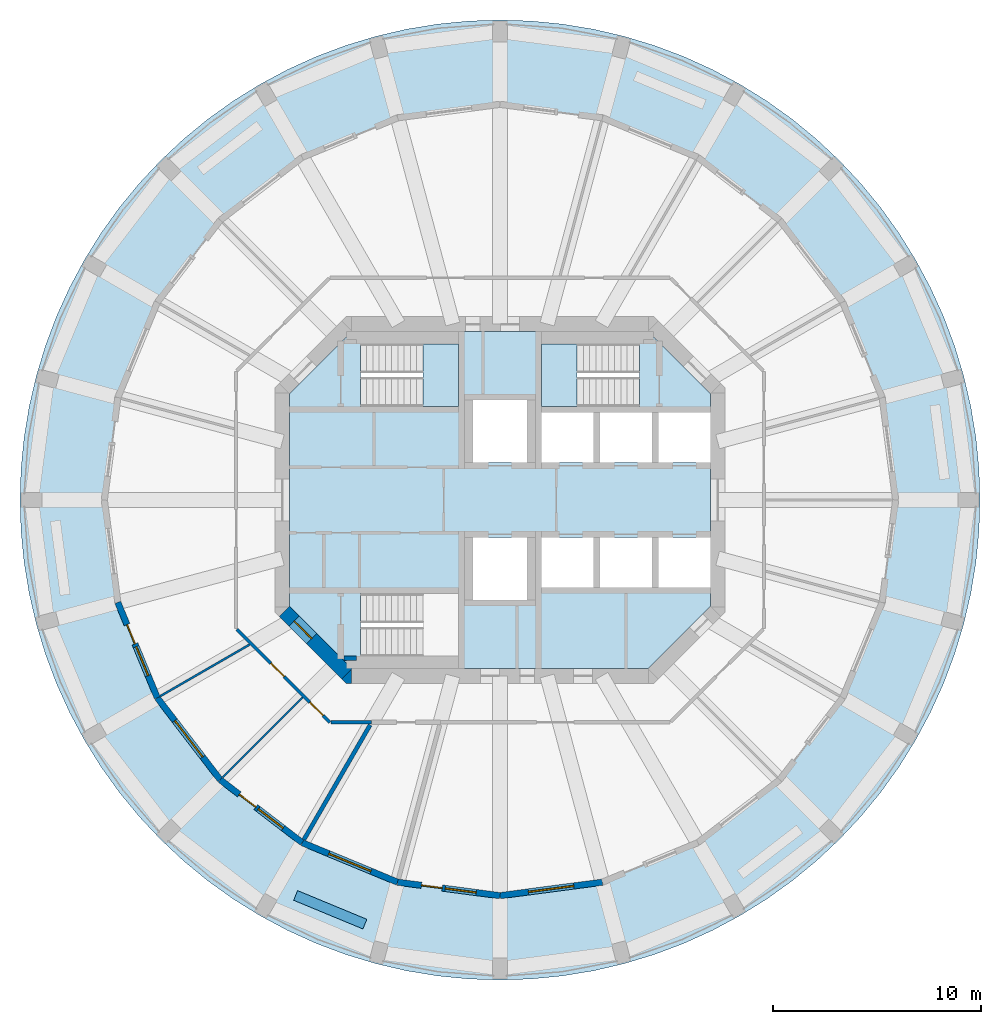
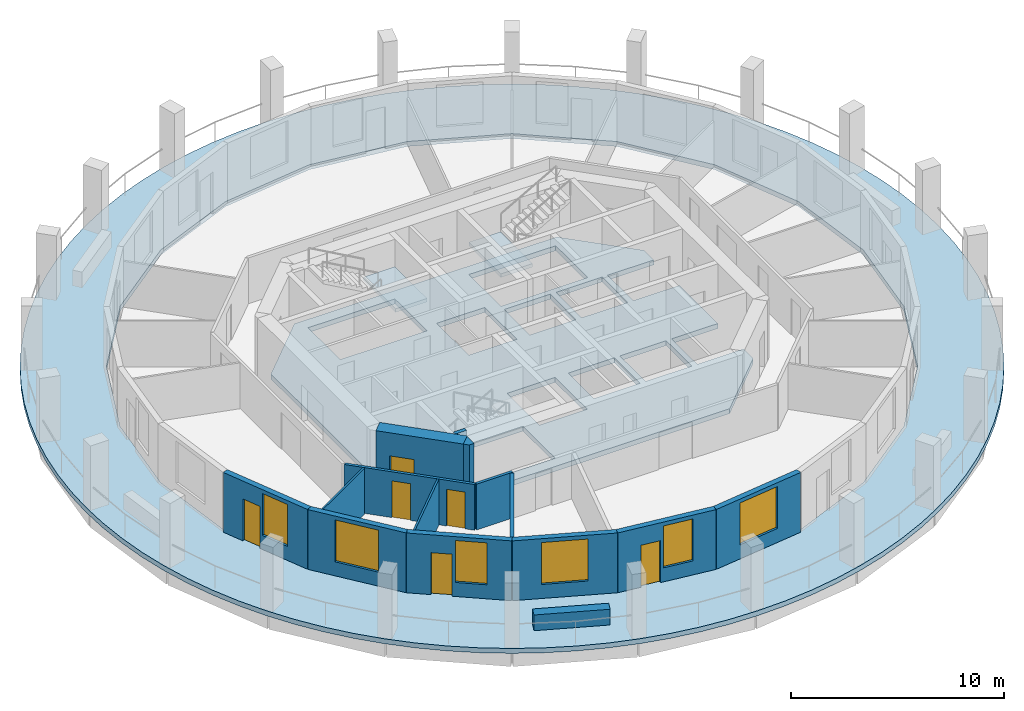
# One storey, part 2 of 9: 15 walls, 6 doors, 6 windows, 4 slabs, 12 openings, 2 elements without a shape of their own.
"""IFC4 building model written with IfcOpenShell, lengths in metres."""

from ifc_helpers import new_model, si_unit, direction, frame, frame_2d, origin, place, context, subcontext, project, spatial, polyline, rectangle, outline, extrude, material, layer, layer_set, type_object, element, fill, aggregate, save


model = new_model("IFC4")

# Units and contexts
model_context = context("Model", 3, precision=1e-05, world=origin(), true_north=direction((0.0, 1.0)))
body_context = subcontext(model_context, "Body", "Model", "MODEL_VIEW")
ifc_project = project(units=[si_unit("LENGTHUNIT", "METRE"), si_unit("AREAUNIT", "SQUARE_METRE"), si_unit("VOLUMEUNIT", "CUBIC_METRE"), si_unit("PLANEANGLEUNIT", "RADIAN"), si_unit("MASSUNIT", "GRAM", prefix="KILO")], contexts=[model_context])

# Site, building, storey
site_placement = place(None, origin())
site = spatial("IfcSite", under=ifc_project, at=site_placement, CompositionType="ELEMENT")
building_placement = place(site_placement, origin())
building = spatial("IfcBuilding", under=site, at=building_placement, Name="Torre Triforio", CompositionType="ELEMENT")
storey_placement = place(building_placement, frame((0.0, 0.0, 161.60009765625)))
storey = spatial("IfcBuildingStorey", under=building, at=storey_placement, Name="L36", CompositionType="ELEMENT", Elevation=161.60009765625)

# Slabs
ifc_material_1 = material(Name="Concrete C50", Category="concrete")
ifc_layer_1 = layer(ifc_material_1, 0.280029296875)
ifc_layer_set_1 = layer_set([ifc_layer_1], Name="Concrete C50")
slab_type_1 = type_object("IfcSlabType", Name="Core floor slab 280 mm C50 REI 120", PredefinedType="FLOOR", material=ifc_layer_set_1)
slab_1_placement = place(storey_placement, frame((0.0, 0.0, -0.280029296875)))
element("IfcSlab", 1, at=slab_1_placement, inside=storey, type_object=slab_type_1, Name="Core floor slab", PredefinedType="FLOOR", context=body_context, shape_type="SweptSolid", body=[
    extrude(outline(polyline([(10.10009765625, -5.10009765625), (7.10009765625, -8.10009765625), (-7.10009765625, -8.10009765625), (-10.10009765625, -5.10009765625), (-10.10009765625, 5.10009765625), (-7.10009765625, 8.10009765625), (7.10009765625, 8.10009765625), (10.10009765625, 5.10009765625), (10.10009765625, 4.199951171875), (7.60009765625, 4.199951171875), (7.60009765625, 1.800048828125), (10.10009765625, 1.800048828125), (10.10009765625, -1.800048828125), (7.60009765625, -1.800048828125), (7.60009765625, -4.199951171875), (10.10009765625, -4.199951171875), (10.10009765625, -5.10009765625)]), holes=[polyline([(-6.696044921875, -4.5), (-6.696044921875, -7.5), (-2.0, -7.5), (-2.0, -4.5), (-6.696044921875, -4.5)]), polyline([(-1.300048828125, -1.800048828125), (-1.300048828125, -4.800048828125), (1.300048828125, -4.800048828125), (1.300048828125, -1.800048828125), (-1.300048828125, -1.800048828125)]), polyline([(2.0, -1.800048828125), (2.0, -4.199951171875), (4.5, -4.199951171875), (4.5, -1.800048828125), (2.0, -1.800048828125)]), polyline([(4.5, 4.199951171875), (2.0, 4.199951171875), (2.0, 1.800048828125), (4.5, 1.800048828125), (4.5, 4.199951171875)]), polyline([(1.300048828125, 4.800048828125), (-1.300048828125, 4.800048828125), (-1.300048828125, 1.800048828125), (1.300048828125, 1.800048828125), (1.300048828125, 4.800048828125)]), polyline([(-6.696044921875, 7.5), (-6.696044921875, 4.5), (-2.0, 4.5), (-2.0, 7.5), (-6.696044921875, 7.5)]), polyline([(7.300048828125, -1.800048828125), (4.800048828125, -1.800048828125), (4.800048828125, -4.199951171875), (7.300048828125, -4.199951171875), (7.300048828125, -1.800048828125)]), polyline([(4.800048828125, 4.199951171875), (4.800048828125, 1.800048828125), (7.300048828125, 1.800048828125), (7.300048828125, 4.199951171875), (4.800048828125, 4.199951171875)]), polyline([(6.696044921875, 7.5), (2.0, 7.5), (2.0, 4.5), (6.696044921875, 4.5), (6.696044921875, 7.5)])]), origin(), (0.0, 0.0, 1.0), 0.280029296875),
])
ifc_material_2 = material(Name="Concrete C40", Category="concrete")
ifc_layer_2 = layer(ifc_material_2, 0.280029296875)
ifc_layer_set_2 = layer_set([ifc_layer_2], Name="Concrete C40")
slab_type_2 = type_object("IfcSlabType", Name="Loggia slab 280 C40", PredefinedType="FLOOR", material=ifc_layer_set_2)
slab_2_placement = place(storey_placement, frame((0.0, 0.0, -0.280029296875)))
element("IfcSlab", 2, at=slab_2_placement, inside=storey, type_object=slab_type_2, Name="SL.L36.LG", PredefinedType="FLOOR", context=body_context, shape_type="SweptSolid", body=[
    extrude(outline(polyline([(23.000732421875, -1.507568359375), (23.050048828125, 0.0), (23.000732421875, 1.507568359375), (22.852783203125, 3.008544921875), (22.607177734375, 4.496826171875), (22.2646484375, 5.9658203125), (21.82666015625, 7.4091796875), (21.29541015625, 8.82080078125), (20.6728515625, 10.19482421875), (19.9619140625, 11.52490234375), (19.165283203125, 12.805908203125), (18.286865234375, 14.031982421875), (17.329833984375, 15.197998046875), (16.298828125, 16.298828125), (15.197998046875, 17.329833984375), (14.031982421875, 18.286865234375), (12.805908203125, 19.165283203125), (11.52490234375, 19.9619140625), (10.19482421875, 20.6728515625), (8.82080078125, 21.29541015625), (7.4091796875, 21.82666015625), (5.9658203125, 22.2646484375), (4.496826171875, 22.607177734375), (3.008544921875, 22.852783203125), (1.507568359375, 23.000732421875), (0.0, 23.050048828125), (-1.507568359375, 23.000732421875), (-3.008544921875, 22.852783203125), (-4.496826171875, 22.607177734375), (-5.9658203125, 22.2646484375), (-7.4091796875, 21.82666015625), (-8.82080078125, 21.29541015625), (-10.19482421875, 20.6728515625), (-11.52490234375, 19.9619140625), (-12.805908203125, 19.165283203125), (-14.031982421875, 18.286865234375), (-15.197998046875, 17.329833984375), (-16.298828125, 16.298828125), (-17.329833984375, 15.197998046875), (-18.286865234375, 14.031982421875), (-19.165283203125, 12.805908203125), (-19.9619140625, 11.52490234375), (-20.6728515625, 10.19482421875), (-21.29541015625, 8.82080078125), (-21.82666015625, 7.4091796875), (-22.2646484375, 5.9658203125), (-22.607177734375, 4.496826171875), (-22.852783203125, 3.008544921875), (-23.000732421875, 1.507568359375), (-23.050048828125, 0.0), (-23.000732421875, -1.507568359375), (-22.852783203125, -3.008544921875), (-22.607177734375, -4.496826171875), (-22.2646484375, -5.9658203125), (-21.82666015625, -7.4091796875), (-21.29541015625, -8.82080078125), (-20.6728515625, -10.19482421875), (-19.9619140625, -11.52490234375), (-19.165283203125, -12.805908203125), (-18.286865234375, -14.031982421875), (-17.329833984375, -15.197998046875), (-16.298828125, -16.298828125), (-15.197998046875, -17.329833984375), (-14.031982421875, -18.286865234375), (-12.805908203125, -19.165283203125), (-11.52490234375, -19.9619140625), (-10.19482421875, -20.6728515625), (-8.82080078125, -21.29541015625), (-7.4091796875, -21.82666015625), (-5.9658203125, -22.2646484375), (-4.496826171875, -22.607177734375), (-3.008544921875, -22.852783203125), (-1.507568359375, -23.000732421875), (0.0, -23.050048828125), (1.507568359375, -23.000732421875), (3.008544921875, -22.852783203125), (4.496826171875, -22.607177734375), (5.9658203125, -22.2646484375), (7.4091796875, -21.82666015625), (8.82080078125, -21.29541015625), (10.19482421875, -20.6728515625), (11.52490234375, -19.9619140625), (12.805908203125, -19.165283203125), (14.031982421875, -18.286865234375), (15.197998046875, -17.329833984375), (16.298828125, -16.298828125), (17.329833984375, -15.197998046875), (18.286865234375, -14.031982421875), (19.165283203125, -12.805908203125), (19.9619140625, -11.52490234375), (20.6728515625, -10.19482421875), (21.29541015625, -8.82080078125), (21.82666015625, -7.4091796875), (22.2646484375, -5.9658203125), (22.607177734375, -4.496826171875), (22.852783203125, -3.008544921875), (23.000732421875, -1.507568359375)]), holes=[polyline([(18.3525390625, 4.91748046875), (19.0, 0.0), (18.3525390625, -4.91748046875), (16.45458984375, -9.5), (13.43505859375, -13.43505859375), (9.5, -16.45458984375), (4.91748046875, -18.3525390625), (0.0, -19.0), (-4.91748046875, -18.3525390625), (-9.5, -16.45458984375), (-13.43505859375, -13.43505859375), (-16.45458984375, -9.5), (-18.3525390625, -4.91748046875), (-19.0, 0.0), (-18.3525390625, 4.91748046875), (-16.45458984375, 9.5), (-13.43505859375, 13.43505859375), (-9.5, 16.45458984375), (-4.91748046875, 18.3525390625), (0.0, 19.0), (4.91748046875, 18.3525390625), (9.5, 16.45458984375), (13.43505859375, 13.43505859375), (16.45458984375, 9.5), (18.3525390625, 4.91748046875)])]), origin(), (0.0, 0.0, 1.0), 0.280029296875),
])

# Stair, slab
stair_type = type_object("IfcStairType", Name="STAIR HALF-TURN", PredefinedType="HALF_TURN_STAIR", material=ifc_material_2)
stair_1_placement = place(storey_placement, origin())
stair_1 = element("IfcStair", 3, at=stair_1_placement, inside=storey, type_object=stair_type, Name="Exit stair 1", PredefinedType="HALF_TURN_STAIR")
ifc_layer_3 = layer(ifc_material_2, 0.199951171875)
ifc_layer_set_3 = layer_set([ifc_layer_3], Name="Concrete C40")
slab_type_3 = type_object("IfcSlabType", Name="STAIR LANDING 200", PredefinedType="LANDING", material=ifc_layer_set_3)
slab_3_placement = place(storey_placement, frame((0.0, 0.0, 1.64990234375)))
slab_3 = element("IfcSlab", 4, at=slab_3_placement, type_object=slab_type_3, Name="ST1 landing 1", PredefinedType="LANDING", context=body_context, shape_type="SweptSolid", body=[
    extrude(outline(polyline([(-2.0, 4.5), (-2.0, 7.5), (-3.699951171875, 7.5), (-3.699951171875, 4.5), (-2.0, 4.5)])), origin(), (0.0, 0.0, 1.0), 0.199951171875),
])
aggregate(stair_1, [slab_3])

stair_2_placement = place(storey_placement, origin())
stair_2 = element("IfcStair", 5, at=stair_2_placement, inside=storey, type_object=stair_type, Name="Exit stair 2", PredefinedType="HALF_TURN_STAIR")
slab_4_placement = place(storey_placement, frame((0.0, 0.0, 1.64990234375)))
slab_4 = element("IfcSlab", 6, at=slab_4_placement, type_object=slab_type_3, Name="ST2 landing 1", PredefinedType="LANDING", context=body_context, shape_type="SweptSolid", body=[
    extrude(outline(polyline([(3.699951171875, 4.5), (3.699951171875, 7.5), (2.0, 7.5), (2.0, 4.5), (3.699951171875, 4.5)])), origin(), (0.0, 0.0, 1.0), 0.199951171875),
])
aggregate(stair_2, [slab_4])

# Wall, opening, door
ifc_layer_4 = layer(ifc_material_1, 0.699951171875)
ifc_layer_set_4 = layer_set([ifc_layer_4], Name="Concrete C50")
wall_type_1 = type_object("IfcWallType", Name="Core wall 700 mm C50 EI 120", PredefinedType="SHEAR", material=ifc_layer_set_4)
wall_1_placement = place(storey_placement, frame((-7.347412109375, -8.347412109375, -0.280029296875), z_axis=(0.0, 0.0, 1.0), x_axis=(-0.707106781187, 0.707106781187, 0.0)))
wall_1 = element("IfcWall", 7, at=wall_1_placement, inside=storey, type_object=wall_type_1, Name="Core wall", PredefinedType="SHEAR", context=body_context, shape_type="SweptSolid", body=[
    extrude(rectangle(XDim=4.24267578125, YDim=0.699951171875, at=frame_2d((2.121337890625, 0.0))), origin(), (0.0, 0.0, 1.0), 3.699951171875),
])
opening_1_placement = place(wall_1_placement, frame((2.392578125, 0.0, 0.280029296875)))
opening_1 = element("IfcOpeningElement", 8, at=opening_1_placement, cuts=wall_1, Name="Opening ST3-EXIT", PredefinedType="OPENING", context=body_context, shape_type="SweptSolid", body=[
    extrude(rectangle(XDim=1.199951171875, YDim=2.10009765625, at=frame_2d((0.60009765625, 1.050048828125))), frame((0.0, 0.35986328125, 0.0), z_axis=(0.0, -1.0, 0.0), x_axis=(1.0, 0.0, 0.0)), (0.0, 0.0, 1.0), 0.719970703125),
])
ifc_material_3 = material(Name="Hollow metal fire door leaf")
door_type_1 = type_object("IfcDoorType", Name="Stair lobby door 1200 x 2100 EI 60", OperationType="NOTDEFINED", PredefinedType="DOOR", material=ifc_material_3)
door_1_placement = place(opening_1_placement, origin())
door_1 = element("IfcDoor", 9, at=door_1_placement, inside=storey, type_object=door_type_1, Name="Core door ST3-EXIT", OperationType="SINGLE_SWING_RIGHT", OverallHeight=2.10009765625, OverallWidth=1.199951171875, PredefinedType="DOOR", context=body_context, shape_type="SweptSolid", body=[
    extrude(rectangle(XDim=1.199951171875, YDim=2.10009765625, at=frame_2d((0.60009765625, 1.050048828125))), frame((0.0, 0.02490234375, 0.0), z_axis=(0.0, -1.0, 0.0), x_axis=(1.0, 0.0, 0.0)), (0.0, 0.0, 1.0), 0.050048828125),
])
fill(opening_1, door_1)

# Walls
wall_2_placement = place(storey_placement, frame((0.0, 0.0, -0.280029296875)))
element("IfcWall", 10, at=wall_2_placement, inside=storey, type_object=wall_type_1, Name="Core wall", PredefinedType="SHEAR", context=body_context, shape_type="SweptSolid", body=[
    extrude(outline(polyline([(-7.389892578125, -8.800048828125), (-7.594970703125, -8.594970703125), (-7.594970703125, -8.594970703125), (-7.594970703125, -8.594970703125), (-7.1298828125, -8.1298828125), (-7.1298828125, -8.800048828125), (-7.1298828125, -8.800048828125), (-7.389892578125, -8.800048828125)])), origin(), (0.0, 0.0, 1.0), 3.699951171875),
])
ifc_material_4 = material(Name="Plasterboard on metal studs")
ifc_layer_5 = layer(ifc_material_4, 0.14990234375)
ifc_layer_set_5 = layer_set([ifc_layer_5], Name="Plasterboard on metal studs")
wall_type_2 = type_object("IfcWallType", Name="Corridor and tenancy wall 150 mm EI 60", PredefinedType="PARTITIONING", material=ifc_layer_set_5)
wall_3_placement = place(storey_placement, frame((-6.1630859375, -10.675048828125, 0.0), z_axis=(0.0, 0.0, 1.0), x_axis=(-1.0, 0.0, 0.0)))
element("IfcWall", 11, at=wall_3_placement, inside=storey, type_object=wall_type_2, Name="Partition 4", PredefinedType="PARTITIONING", context=body_context, shape_type="SweptSolid", body=[
    extrude(rectangle(XDim=1.950927734375, YDim=0.14990234375, at=frame_2d((0.9755859375, 0.0))), origin(), (0.0, 0.0, 1.0), 2.619873046875),
])

# Wall, openings, doors
wall_4_placement = place(storey_placement, frame((-8.16650390625, -10.675048828125, 0.0), z_axis=(0.0, 0.0, 1.0), x_axis=(-0.707106781187, 0.707106781187, 0.0)))
wall_4 = element("IfcWall", 12, at=wall_4_placement, inside=storey, type_object=wall_type_2, Name="Partition 5", PredefinedType="PARTITIONING", context=body_context, shape_type="SweptSolid", body=[
    extrude(rectangle(XDim=6.323486328125, YDim=0.14990234375, at=frame_2d((3.16162109375, 0.0))), origin(), (0.0, 0.0, 1.0), 2.619873046875),
])
opening_2_placement = place(wall_4_placement, frame((3.109619140625, 0.0, 0.0)))
opening_2 = element("IfcOpeningElement", 13, at=opening_2_placement, cuts=wall_4, Name="Opening O1-10", PredefinedType="OPENING", context=body_context, shape_type="SweptSolid", body=[
    extrude(rectangle(XDim=0.89990234375, YDim=2.10009765625, at=frame_2d((0.449951171875, 1.050048828125))), frame((0.0, 0.0849609375, 0.0), z_axis=(0.0, -1.0, 0.0), x_axis=(1.0, 0.0, 0.0)), (0.0, 0.0, 1.0), 0.169921875),
])
opening_3_placement = place(wall_4_placement, frame((0.4619140625, 0.0, 0.0)))
opening_3 = element("IfcOpeningElement", 14, at=opening_3_placement, cuts=wall_4, Name="Opening O1-11", PredefinedType="OPENING", context=body_context, shape_type="SweptSolid", body=[
    extrude(rectangle(XDim=0.89990234375, YDim=2.10009765625, at=frame_2d((0.449951171875, 1.050048828125))), frame((0.0, 0.0849609375, 0.0), z_axis=(0.0, -1.0, 0.0), x_axis=(1.0, 0.0, 0.0)), (0.0, 0.0, 1.0), 0.169921875),
])
ifc_material_5 = material(Name="Timber", Category="wood")
door_type_2 = type_object("IfcDoorType", Name="Door 900 x 2100 single leaf EI 30", OperationType="NOTDEFINED", PredefinedType="DOOR", material=ifc_material_5)
door_2_placement = place(opening_2_placement, origin())
door_2 = element("IfcDoor", 15, at=door_2_placement, inside=storey, type_object=door_type_2, Name="Door O1-10", OperationType="SINGLE_SWING_LEFT", OverallHeight=2.10009765625, OverallWidth=0.89990234375, PredefinedType="DOOR", context=body_context, shape_type="SweptSolid", body=[
    extrude(rectangle(XDim=0.89990234375, YDim=2.10009765625, at=frame_2d((0.449951171875, 1.050048828125))), frame((0.0, 0.02490234375, 0.0), z_axis=(0.0, -1.0, 0.0), x_axis=(1.0, 0.0, 0.0)), (0.0, 0.0, 1.0), 0.050048828125),
])
fill(opening_2, door_2)
door_3_placement = place(opening_3_placement, origin())
door_3 = element("IfcDoor", 16, at=door_3_placement, inside=storey, type_object=door_type_2, Name="Door O1-11", OperationType="SINGLE_SWING_LEFT", OverallHeight=2.10009765625, OverallWidth=0.89990234375, PredefinedType="DOOR", context=body_context, shape_type="SweptSolid", body=[
    extrude(rectangle(XDim=0.89990234375, YDim=2.10009765625, at=frame_2d((0.449951171875, 1.050048828125))), frame((0.0, 0.02490234375, 0.0), z_axis=(0.0, -1.0, 0.0), x_axis=(1.0, 0.0, 0.0)), (0.0, 0.0, 1.0), 0.050048828125),
])
fill(opening_3, door_3)

# Walls
ifc_layer_6 = layer(ifc_material_4, 0.10009765625)
ifc_layer_set_6 = layer_set([ifc_layer_6], Name="Plasterboard on metal studs")
wall_type_3 = type_object("IfcWallType", Name="Partition 100 mm board on metal studs", PredefinedType="PARTITIONING", material=ifc_layer_set_6)
wall_5_placement = place(storey_placement, frame((-12.025146484375, -6.94287109375, 0.0), z_axis=(0.0, 0.0, 1.0), x_axis=(-0.866025463095, -0.499999897272, 0.0)))
element("IfcWall", 17, at=wall_5_placement, inside=storey, type_object=wall_type_3, Name="Partition 20", PredefinedType="PARTITIONING", context=body_context, shape_type="SweptSolid", body=[
    extrude(rectangle(XDim=4.951171875, YDim=0.10009765625, at=frame_2d((2.4755859375, 0.0))), origin(), (0.0, 0.0, 1.0), 2.619873046875),
])
wall_6_placement = place(storey_placement, frame((-9.473876953125, -9.473876953125, 0.0), z_axis=(0.0, 0.0, 1.0), x_axis=(-0.707106781187, -0.707106781187, 0.0)))
element("IfcWall", 18, at=wall_6_placement, inside=storey, type_object=wall_type_3, Name="Partition 21", PredefinedType="PARTITIONING", context=body_context, shape_type="SweptSolid", body=[
    extrude(rectangle(XDim=5.438720703125, YDim=0.10009765625, at=frame_2d((2.71923828125, 0.0))), origin(), (0.0, 0.0, 1.0), 2.619873046875),
])
ifc_material_6 = material(Name="Masonry block", Category="masonry")
ifc_layer_7 = layer(ifc_material_6, 0.199951171875)
ifc_layer_set_7 = layer_set([ifc_layer_7], Name="Masonry block")
wall_type_4 = type_object("IfcWallType", Name="Plant room wall 200 mm block EI 120", PredefinedType="PARTITIONING", material=ifc_layer_set_7)
wall_7_placement = place(storey_placement, frame((-6.235595703125, -10.800537109375, 0.0), z_axis=(0.0, 0.0, 1.0), x_axis=(-0.500029003625, -0.866008657886, 0.0)))
element("IfcWall", 19, at=wall_7_placement, inside=storey, type_object=wall_type_4, Name="Partition 22", PredefinedType="PARTITIONING", context=body_context, shape_type="SweptSolid", body=[
    extrude(rectangle(XDim=6.365234375, YDim=0.199951171875, at=frame_2d((3.1826171875, 0.0))), origin(), (0.0, 0.0, 1.0), 2.619873046875),
])
ifc_material_7 = material(Name="Limestone cladding", Category="masonry")
ifc_layer_8 = layer(ifc_material_7, 0.10009765625)
ifc_layer_9 = layer(ifc_material_2, 0.39990234375)
ifc_layer_set_8 = layer_set([ifc_layer_8, ifc_layer_9], Name="Limestone cladding / Concrete C40")
wall_type_5 = type_object("IfcWallType", Name="Planter wall 500", PredefinedType="PARAPET", material=ifc_layer_set_8)
wall_8_placement = place(storey_placement, frame((-9.814208984375, -18.98974609375, 0.0), z_axis=(0.0, 0.0, 1.0), x_axis=(0.923875488976, -0.382693194178, 0.0)))
element("IfcWall", 20, at=wall_8_placement, inside=storey, type_object=wall_type_5, Name="Planter L36 bay 17", PredefinedType="PARAPET", context=body_context, shape_type="SweptSolid", body=[
    extrude(rectangle(XDim=3.599853515625, YDim=0.5, at=frame_2d((1.7998046875, 0.0))), origin(), (0.0, 0.0, 1.0), 0.89990234375),
])
ifc_layer_10 = layer(ifc_material_1, 0.199951171875)
ifc_layer_set_9 = layer_set([ifc_layer_10], Name="Concrete C50")
wall_type_6 = type_object("IfcWallType", Name="Stair wall 200 mm C50 EI 120", PredefinedType="SHEAR", material=ifc_layer_set_9)
wall_9_placement = place(storey_placement, frame((-7.5, -7.60009765625, 0.0), z_axis=(0.0, 0.0, 1.0), x_axis=(1.0, 0.0, 0.0)))
element("IfcWall", 21, at=wall_9_placement, inside=storey, type_object=wall_type_6, Name="Stair wall", PredefinedType="SHEAR", context=body_context, shape_type="SweptSolid", body=[
    extrude(rectangle(XDim=0.60009765625, YDim=0.199951171875, at=frame_2d((0.300048828125, 0.0))), origin(), (0.0, 0.0, 1.0), 3.419921875),
])

# Wall, openings, door, window
ifc_layer_11 = layer(ifc_material_7, 0.10009765625)
ifc_layer_12 = layer(ifc_material_2, 0.199951171875)
ifc_layer_set_10 = layer_set([ifc_layer_11, ifc_layer_12], Name="Limestone cladding / Concrete C40")
wall_type_7 = type_object("IfcWallType", Name="Stone-faced composite wall 300", PredefinedType="STANDARD", material=ifc_layer_set_10)
wall_10_placement = place(storey_placement, frame((-18.3525390625, -4.91748046875, 0.0), z_axis=(0.0, 0.0, 1.0), x_axis=(0.382650301762, -0.923893254961, 0.0)))
wall_10 = element("IfcWall", 22, at=wall_10_placement, inside=storey, type_object=wall_type_7, Name="External wall L36 bay 14", PredefinedType="STANDARD", context=body_context, shape_type="SweptSolid", body=[
    extrude(rectangle(XDim=4.9599609375, YDim=0.300048828125, at=frame_2d((2.47998046875, 0.0))), origin(), (0.0, 0.0, 1.0), 3.419921875),
])
opening_4_placement = place(wall_10_placement, frame((1.155029296875, 0.0, 0.0)))
opening_4 = element("IfcOpeningElement", 23, at=opening_4_placement, cuts=wall_10, Name="Opening O1-D14", PredefinedType="OPENING", context=body_context, shape_type="SweptSolid", body=[
    extrude(rectangle(XDim=1.0, YDim=2.39990234375, at=frame_2d((0.5, 1.199951171875))), frame((0.0, 0.159912109375, 0.0), z_axis=(0.0, -1.0, 0.0), x_axis=(1.0, 0.0, 0.0)), (0.0, 0.0, 1.0), 0.320068359375),
])
opening_5_placement = place(wall_10_placement, frame((2.304931640625, 0.0, 0.800048828125)))
opening_5 = element("IfcOpeningElement", 24, at=opening_5_placement, cuts=wall_10, Name="Opening O1-W14A", PredefinedType="OPENING", context=body_context, shape_type="SweptSolid", body=[
    extrude(rectangle(XDim=1.5, YDim=2.39990234375, at=frame_2d((0.75, 1.199951171875))), frame((0.0, 0.159912109375, 0.0), z_axis=(0.0, -1.0, 0.0), x_axis=(1.0, 0.0, 0.0)), (0.0, 0.0, 1.0), 0.320068359375),
])
ifc_material_8 = material(Name="Aluminium frame with clear double glazing", Category="aluminium")
door_type_3 = type_object("IfcDoorType", Name="Loggia door 1000 x 2400", OperationType="NOTDEFINED", PredefinedType="DOOR", material=ifc_material_8)
door_4_placement = place(opening_4_placement, origin())
door_4 = element("IfcDoor", 25, at=door_4_placement, inside=storey, type_object=door_type_3, Name="Loggia door L36 bay 14", OperationType="SINGLE_SWING_LEFT", OverallHeight=2.39990234375, OverallWidth=1.0, PredefinedType="DOOR", context=body_context, shape_type="SweptSolid", body=[
    extrude(rectangle(XDim=1.0, YDim=2.39990234375, at=frame_2d((0.5, 1.199951171875))), frame((0.0, 0.02490234375, 0.0), z_axis=(0.0, -1.0, 0.0), x_axis=(1.0, 0.0, 0.0)), (0.0, 0.0, 1.0), 0.050048828125),
])
fill(opening_4, door_4)
window_type_1 = type_object("IfcWindowType", Name="Side window 1500 x 2400", PartitioningType="SINGLE_PANEL", PredefinedType="WINDOW", material=ifc_material_8)
window_1_placement = place(opening_5_placement, origin())
window_1 = element("IfcWindow", 26, at=window_1_placement, inside=storey, type_object=window_type_1, Name="Side window EWN14 L36 bay 14", OverallHeight=2.39990234375, OverallWidth=1.5, PartitioningType="SINGLE_PANEL", PredefinedType="WINDOW", context=body_context, shape_type="SweptSolid", body=[
    extrude(rectangle(XDim=1.5, YDim=2.39990234375, at=frame_2d((0.75, 1.199951171875))), frame((0.0, 0.030029296875, 0.0), z_axis=(0.0, -1.0, 0.0), x_axis=(1.0, 0.0, 0.0)), (0.0, 0.0, 1.0), 0.06005859375),
])
fill(opening_5, window_1)

# Wall, opening, window
wall_11_placement = place(storey_placement, frame((-16.45458984375, -9.5, 0.0), z_axis=(0.0, 0.0, 1.0), x_axis=(0.608768356425, -0.793348024649, 0.0)))
wall_11 = element("IfcWall", 27, at=wall_11_placement, inside=storey, type_object=wall_type_7, Name="External wall L36 bay 15", PredefinedType="STANDARD", context=body_context, shape_type="SweptSolid", body=[
    extrude(rectangle(XDim=4.9599609375, YDim=0.300048828125, at=frame_2d((2.47998046875, 0.0))), origin(), (0.0, 0.0, 1.0), 3.419921875),
])
opening_6_placement = place(wall_11_placement, frame((1.3798828125, 0.0, 0.800048828125)))
opening_6 = element("IfcOpeningElement", 28, at=opening_6_placement, cuts=wall_11, Name="Opening O1-W15", PredefinedType="OPENING", context=body_context, shape_type="SweptSolid", body=[
    extrude(rectangle(XDim=2.199951171875, YDim=2.39990234375, at=frame_2d((1.10009765625, 1.199951171875))), frame((0.0, 0.159912109375, 0.0), z_axis=(0.0, -1.0, 0.0), x_axis=(1.0, 0.0, 0.0)), (0.0, 0.0, 1.0), 0.320068359375),
])
window_type_2 = type_object("IfcWindowType", Name="Punched window 2200 x 2400", PartitioningType="DOUBLE_PANEL_VERTICAL", PredefinedType="WINDOW", material=ifc_material_8)
window_2_placement = place(opening_6_placement, origin())
window_2 = element("IfcWindow", 29, at=window_2_placement, inside=storey, type_object=window_type_2, Name="Window EWN5 L36 bay 15", OverallHeight=2.39990234375, OverallWidth=2.199951171875, PartitioningType="SINGLE_PANEL", PredefinedType="WINDOW", context=body_context, shape_type="SweptSolid", body=[
    extrude(rectangle(XDim=2.199951171875, YDim=2.39990234375, at=frame_2d((1.10009765625, 1.199951171875))), frame((0.0, 0.030029296875, 0.0), z_axis=(0.0, -1.0, 0.0), x_axis=(1.0, 0.0, 0.0)), (0.0, 0.0, 1.0), 0.06005859375),
])
fill(opening_6, window_2)

# Wall, openings, door, window
wall_12_placement = place(storey_placement, frame((-13.43505859375, -13.43505859375, 0.0), z_axis=(0.0, 0.0, 1.0), x_axis=(0.793348024649, -0.608768356425, 0.0)))
wall_12 = element("IfcWall", 30, at=wall_12_placement, inside=storey, type_object=wall_type_7, Name="External wall L36 bay 16", PredefinedType="STANDARD", context=body_context, shape_type="SweptSolid", body=[
    extrude(rectangle(XDim=4.9599609375, YDim=0.300048828125, at=frame_2d((2.47998046875, 0.0))), origin(), (0.0, 0.0, 1.0), 3.419921875),
])
opening_7_placement = place(wall_12_placement, frame((1.155029296875, 0.0, 0.0)))
opening_7 = element("IfcOpeningElement", 31, at=opening_7_placement, cuts=wall_12, Name="Opening O1-D16", PredefinedType="OPENING", context=body_context, shape_type="SweptSolid", body=[
    extrude(rectangle(XDim=1.0, YDim=2.39990234375, at=frame_2d((0.5, 1.199951171875))), frame((0.0, 0.159912109375, 0.0), z_axis=(0.0, -1.0, 0.0), x_axis=(1.0, 0.0, 0.0)), (0.0, 0.0, 1.0), 0.320068359375),
])
opening_8_placement = place(wall_12_placement, frame((2.304931640625, 0.0, 0.800048828125)))
opening_8 = element("IfcOpeningElement", 32, at=opening_8_placement, cuts=wall_12, Name="Opening O1-W16A", PredefinedType="OPENING", context=body_context, shape_type="SweptSolid", body=[
    extrude(rectangle(XDim=1.5, YDim=2.39990234375, at=frame_2d((0.75, 1.199951171875))), frame((0.0, 0.159912109375, 0.0), z_axis=(0.0, -1.0, 0.0), x_axis=(1.0, 0.0, 0.0)), (0.0, 0.0, 1.0), 0.320068359375),
])
door_5_placement = place(opening_7_placement, origin())
door_5 = element("IfcDoor", 33, at=door_5_placement, inside=storey, type_object=door_type_3, Name="Loggia door L36 bay 16", OperationType="SINGLE_SWING_LEFT", OverallHeight=2.39990234375, OverallWidth=1.0, PredefinedType="DOOR", context=body_context, shape_type="SweptSolid", body=[
    extrude(rectangle(XDim=1.0, YDim=2.39990234375, at=frame_2d((0.5, 1.199951171875))), frame((0.0, 0.02490234375, 0.0), z_axis=(0.0, -1.0, 0.0), x_axis=(1.0, 0.0, 0.0)), (0.0, 0.0, 1.0), 0.050048828125),
])
fill(opening_7, door_5)
window_3_placement = place(opening_8_placement, origin())
window_3 = element("IfcWindow", 34, at=window_3_placement, inside=storey, type_object=window_type_1, Name="Side window EWN14 L36 bay 16", OverallHeight=2.39990234375, OverallWidth=1.5, PartitioningType="SINGLE_PANEL", PredefinedType="WINDOW", context=body_context, shape_type="SweptSolid", body=[
    extrude(rectangle(XDim=1.5, YDim=2.39990234375, at=frame_2d((0.75, 1.199951171875))), frame((0.0, 0.030029296875, 0.0), z_axis=(0.0, -1.0, 0.0), x_axis=(1.0, 0.0, 0.0)), (0.0, 0.0, 1.0), 0.06005859375),
])
fill(opening_8, window_3)

# Wall, opening, window
wall_13_placement = place(storey_placement, frame((-9.5, -16.45458984375, 0.0), z_axis=(0.0, 0.0, 1.0), x_axis=(0.923893254961, -0.382650301762, 0.0)))
wall_13 = element("IfcWall", 35, at=wall_13_placement, inside=storey, type_object=wall_type_7, Name="External wall L36 bay 17", PredefinedType="STANDARD", context=body_context, shape_type="SweptSolid", body=[
    extrude(rectangle(XDim=4.9599609375, YDim=0.300048828125, at=frame_2d((2.47998046875, 0.0))), origin(), (0.0, 0.0, 1.0), 3.419921875),
])
opening_9_placement = place(wall_13_placement, frame((1.3798828125, 0.0, 0.800048828125)))
opening_9 = element("IfcOpeningElement", 36, at=opening_9_placement, cuts=wall_13, Name="Opening O1-W17", PredefinedType="OPENING", context=body_context, shape_type="SweptSolid", body=[
    extrude(rectangle(XDim=2.199951171875, YDim=2.39990234375, at=frame_2d((1.10009765625, 1.199951171875))), frame((0.0, 0.159912109375, 0.0), z_axis=(0.0, -1.0, 0.0), x_axis=(1.0, 0.0, 0.0)), (0.0, 0.0, 1.0), 0.320068359375),
])
window_4_placement = place(opening_9_placement, origin())
window_4 = element("IfcWindow", 37, at=window_4_placement, inside=storey, type_object=window_type_2, Name="Window EWN5 L36 bay 17", OverallHeight=2.39990234375, OverallWidth=2.199951171875, PartitioningType="SINGLE_PANEL", PredefinedType="WINDOW", context=body_context, shape_type="SweptSolid", body=[
    extrude(rectangle(XDim=2.199951171875, YDim=2.39990234375, at=frame_2d((1.10009765625, 1.199951171875))), frame((0.0, 0.030029296875, 0.0), z_axis=(0.0, -1.0, 0.0), x_axis=(1.0, 0.0, 0.0)), (0.0, 0.0, 1.0), 0.06005859375),
])
fill(opening_9, window_4)

# Wall, openings, door, window
wall_14_placement = place(storey_placement, frame((-4.91748046875, -18.3525390625, 0.0), z_axis=(0.0, 0.0, 1.0), x_axis=(0.991443234469, -0.130538549191, 0.0)))
wall_14 = element("IfcWall", 38, at=wall_14_placement, inside=storey, type_object=wall_type_7, Name="External wall L36 bay 18", PredefinedType="STANDARD", context=body_context, shape_type="SweptSolid", body=[
    extrude(rectangle(XDim=4.9599609375, YDim=0.300048828125, at=frame_2d((2.47998046875, 0.0))), origin(), (0.0, 0.0, 1.0), 3.419921875),
])
opening_10_placement = place(wall_14_placement, frame((1.155029296875, 0.0, 0.0)))
opening_10 = element("IfcOpeningElement", 39, at=opening_10_placement, cuts=wall_14, Name="Opening O1-D18", PredefinedType="OPENING", context=body_context, shape_type="SweptSolid", body=[
    extrude(rectangle(XDim=1.0, YDim=2.39990234375, at=frame_2d((0.5, 1.199951171875))), frame((0.0, 0.159912109375, 0.0), z_axis=(0.0, -1.0, 0.0), x_axis=(1.0, 0.0, 0.0)), (0.0, 0.0, 1.0), 0.320068359375),
])
opening_11_placement = place(wall_14_placement, frame((2.304931640625, 0.0, 0.800048828125)))
opening_11 = element("IfcOpeningElement", 40, at=opening_11_placement, cuts=wall_14, Name="Opening O1-W18A", PredefinedType="OPENING", context=body_context, shape_type="SweptSolid", body=[
    extrude(rectangle(XDim=1.5, YDim=2.39990234375, at=frame_2d((0.75, 1.199951171875))), frame((0.0, 0.159912109375, 0.0), z_axis=(0.0, -1.0, 0.0), x_axis=(1.0, 0.0, 0.0)), (0.0, 0.0, 1.0), 0.320068359375),
])
door_6_placement = place(opening_10_placement, origin())
door_6 = element("IfcDoor", 41, at=door_6_placement, inside=storey, type_object=door_type_3, Name="Loggia door L36 bay 18", OperationType="SINGLE_SWING_LEFT", OverallHeight=2.39990234375, OverallWidth=1.0, PredefinedType="DOOR", context=body_context, shape_type="SweptSolid", body=[
    extrude(rectangle(XDim=1.0, YDim=2.39990234375, at=frame_2d((0.5, 1.199951171875))), frame((0.0, 0.02490234375, 0.0), z_axis=(0.0, -1.0, 0.0), x_axis=(1.0, 0.0, 0.0)), (0.0, 0.0, 1.0), 0.050048828125),
])
fill(opening_10, door_6)
window_5_placement = place(opening_11_placement, origin())
window_5 = element("IfcWindow", 42, at=window_5_placement, inside=storey, type_object=window_type_1, Name="Side window EWN14 L36 bay 18", OverallHeight=2.39990234375, OverallWidth=1.5, PartitioningType="SINGLE_PANEL", PredefinedType="WINDOW", context=body_context, shape_type="SweptSolid", body=[
    extrude(rectangle(XDim=1.5, YDim=2.39990234375, at=frame_2d((0.75, 1.199951171875))), frame((0.0, 0.030029296875, 0.0), z_axis=(0.0, -1.0, 0.0), x_axis=(1.0, 0.0, 0.0)), (0.0, 0.0, 1.0), 0.06005859375),
])
fill(opening_11, window_5)

# Wall, opening, window
wall_15_placement = place(storey_placement, frame((0.0, -19.0, 0.0), z_axis=(0.0, 0.0, 1.0), x_axis=(0.991443234469, 0.130538549191, 0.0)))
wall_15 = element("IfcWall", 43, at=wall_15_placement, inside=storey, type_object=wall_type_7, Name="External wall L36 bay 19", PredefinedType="STANDARD", context=body_context, shape_type="SweptSolid", body=[
    extrude(rectangle(XDim=4.9599609375, YDim=0.300048828125, at=frame_2d((2.47998046875, 0.0))), origin(), (0.0, 0.0, 1.0), 3.419921875),
])
opening_12_placement = place(wall_15_placement, frame((1.3798828125, 0.0, 0.800048828125)))
opening_12 = element("IfcOpeningElement", 44, at=opening_12_placement, cuts=wall_15, Name="Opening O1-W19", PredefinedType="OPENING", context=body_context, shape_type="SweptSolid", body=[
    extrude(rectangle(XDim=2.199951171875, YDim=2.39990234375, at=frame_2d((1.10009765625, 1.199951171875))), frame((0.0, 0.159912109375, 0.0), z_axis=(0.0, -1.0, 0.0), x_axis=(1.0, 0.0, 0.0)), (0.0, 0.0, 1.0), 0.320068359375),
])
window_6_placement = place(opening_12_placement, origin())
window_6 = element("IfcWindow", 45, at=window_6_placement, inside=storey, type_object=window_type_2, Name="Window EWN5 L36 bay 19", OverallHeight=2.39990234375, OverallWidth=2.199951171875, PartitioningType="SINGLE_PANEL", PredefinedType="WINDOW", context=body_context, shape_type="SweptSolid", body=[
    extrude(rectangle(XDim=2.199951171875, YDim=2.39990234375, at=frame_2d((1.10009765625, 1.199951171875))), frame((0.0, 0.030029296875, 0.0), z_axis=(0.0, -1.0, 0.0), x_axis=(1.0, 0.0, 0.0)), (0.0, 0.0, 1.0), 0.06005859375),
])
fill(opening_12, window_6)

save(model, "model.ifc")
